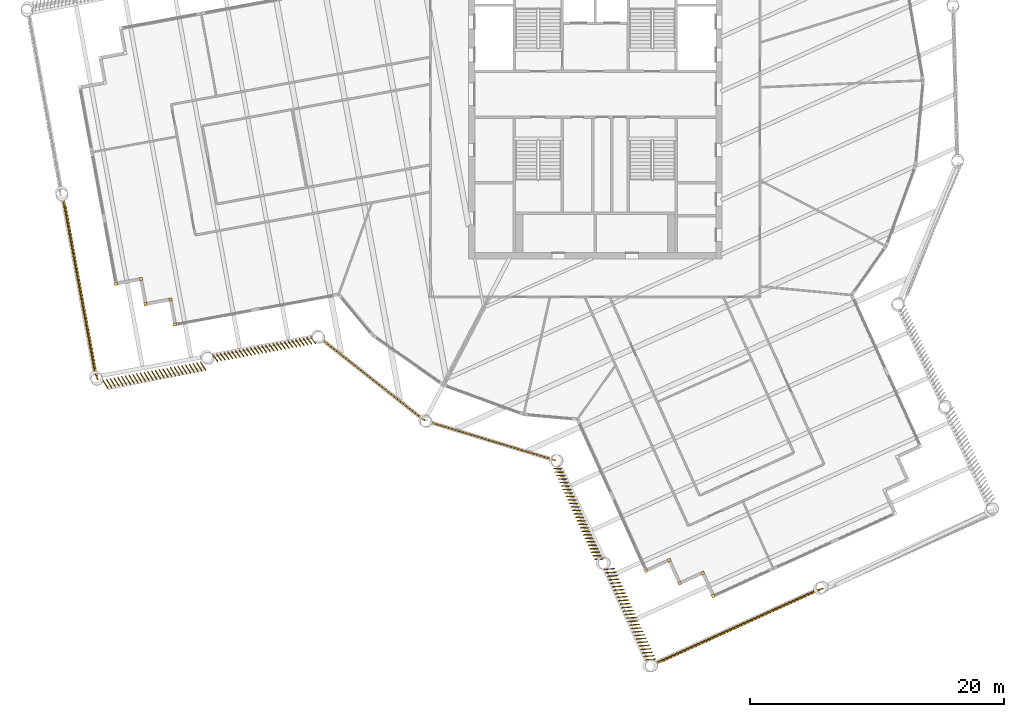
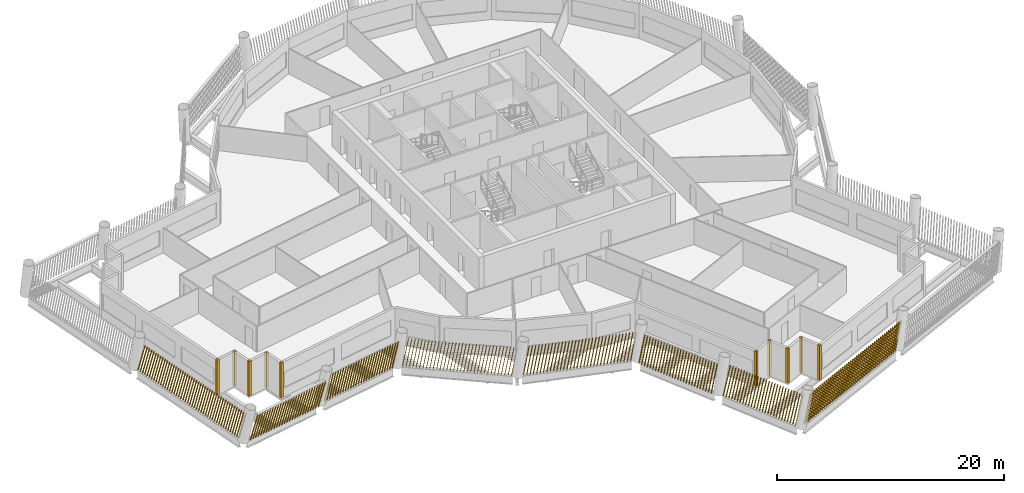
# One storey, part 11 of 15: 18 shading devices.
"""IFC4 building model written with IfcOpenShell, lengths in metres."""

from ifc_helpers import new_model, si_unit, direction, frame, frame_2d, origin, origin_2d, place, context, subcontext, project, spatial, rectangle, composite_profile, extrude, material, type_object, element, save


model = new_model("IFC4")

# Units and contexts
model_context = context("Model", 3, precision=1e-05, world=origin(), true_north=direction((0.0, 1.0)))
body_context = subcontext(model_context, "Body", "Model", "MODEL_VIEW")
ifc_project = project(units=[si_unit("LENGTHUNIT", "METRE"), si_unit("AREAUNIT", "SQUARE_METRE"), si_unit("VOLUMEUNIT", "CUBIC_METRE"), si_unit("PLANEANGLEUNIT", "RADIAN"), si_unit("MASSUNIT", "GRAM", prefix="KILO")], contexts=[model_context])

# Site, building, storey
site_placement = place(None, origin())
site = spatial("IfcSite", under=ifc_project, at=site_placement, CompositionType="ELEMENT")
building_placement = place(site_placement, origin())
building = spatial("IfcBuilding", under=site, at=building_placement, Name="Tarsis Ring Headquarters", CompositionType="ELEMENT")
storey_placement = place(building_placement, frame((0.0, 0.0, 327.5)))
storey = spatial("IfcBuildingStorey", under=building, at=storey_placement, Name="L77", CompositionType="ELEMENT", Elevation=327.5)

# Shading devices
ifc_material = material(Name="Terracotta baguette", Category="masonry")
shading_device_type_1 = type_object("IfcShadingDeviceType", Name="Terracotta baguette screen", PredefinedType="USERDEFINED", material=ifc_material)
shading_device_1_placement = place(storey_placement, frame((-12.979736328125, -25.888427734375, 0.0), z_axis=(0.0, 0.0, 1.0), x_axis=(0.956752029981, -0.290943160525, 0.0)))
element("IfcShadingDevice", 1, at=shading_device_1_placement, inside=storey, type_object=shading_device_type_1, Name="Baguette screen L77-00", ObjectType="Terracotta baguette screen", PredefinedType="USERDEFINED", context=body_context, shape_type="SweptSolid", body=[
    extrude(composite_profile([rectangle(XDim=0.06005859375, YDim=0.1201171875, at=frame_2d((0.030029296875, 0.0))), rectangle(XDim=0.06005859375, YDim=0.1201171875, at=frame_2d((0.33349609375, 0.0))), rectangle(XDim=0.06005859375, YDim=0.1201171875, at=frame_2d((0.636962890625, 0.0))), rectangle(XDim=0.06005859375, YDim=0.1201171875, at=frame_2d((0.9404296875, 0.0))), rectangle(XDim=0.06005859375, YDim=0.1201171875, at=frame_2d((1.243896484375, 0.0))), rectangle(XDim=0.06005859375, YDim=0.1201171875, at=frame_2d((1.54736328125, 0.0))), rectangle(XDim=0.06005859375, YDim=0.1201171875, at=frame_2d((1.85107421875, 0.0))), rectangle(XDim=0.06005859375, YDim=0.1201171875, at=frame_2d((2.154541015625, 0.0))), rectangle(XDim=0.06005859375, YDim=0.1201171875, at=frame_2d((2.4580078125, 0.0))), rectangle(XDim=0.06005859375, YDim=0.1201171875, at=frame_2d((2.761474609375, 0.0))), rectangle(XDim=0.06005859375, YDim=0.1201171875, at=frame_2d((3.06494140625, 0.0))), rectangle(XDim=0.06005859375, YDim=0.1201171875, at=frame_2d((3.368408203125, 0.0))), rectangle(XDim=0.06005859375, YDim=0.1201171875, at=frame_2d((3.671875, 0.0))), rectangle(XDim=0.06005859375, YDim=0.1201171875, at=frame_2d((3.975341796875, 0.0))), rectangle(XDim=0.06005859375, YDim=0.1201171875, at=frame_2d((4.27880859375, 0.0))), rectangle(XDim=0.06005859375, YDim=0.1201171875, at=frame_2d((4.582275390625, 0.0))), rectangle(XDim=0.06005859375, YDim=0.1201171875, at=frame_2d((4.8857421875, 0.0))), rectangle(XDim=0.06005859375, YDim=0.1201171875, at=frame_2d((5.189453125, 0.0))), rectangle(XDim=0.06005859375, YDim=0.1201171875, at=frame_2d((5.492919921875, 0.0))), rectangle(XDim=0.06005859375, YDim=0.1201171875, at=frame_2d((5.79638671875, 0.0))), rectangle(XDim=0.06005859375, YDim=0.1201171875, at=frame_2d((6.099853515625, 0.0))), rectangle(XDim=0.06005859375, YDim=0.1201171875, at=frame_2d((6.4033203125, 0.0))), rectangle(XDim=0.06005859375, YDim=0.1201171875, at=frame_2d((6.706787109375, 0.0))), rectangle(XDim=0.06005859375, YDim=0.1201171875, at=frame_2d((7.01025390625, 0.0))), rectangle(XDim=0.06005859375, YDim=0.1201171875, at=frame_2d((7.313720703125, 0.0))), rectangle(XDim=0.06005859375, YDim=0.1201171875, at=frame_2d((7.6171875, 0.0))), rectangle(XDim=0.06005859375, YDim=0.1201171875, at=frame_2d((7.920654296875, 0.0))), rectangle(XDim=0.06005859375, YDim=0.1201171875, at=frame_2d((8.224365234375, 0.0))), rectangle(XDim=0.06005859375, YDim=0.1201171875, at=frame_2d((8.52783203125, 0.0))), rectangle(XDim=0.06005859375, YDim=0.1201171875, at=frame_2d((8.831298828125, 0.0))), rectangle(XDim=0.06005859375, YDim=0.1201171875, at=frame_2d((9.134765625, 0.0))), rectangle(XDim=0.06005859375, YDim=0.1201171875, at=frame_2d((9.438232421875, 0.0))), rectangle(XDim=0.06005859375, YDim=0.1201171875, at=frame_2d((9.74169921875, 0.0)))]), origin(), (0.171976251092, 0.00155817688, 0.985099863539), 3.0126953125),
])
shading_device_2_placement = place(storey_placement, frame((-3.287353515625, -29.4873046875, 0.0), z_axis=(0.0, 0.0, 1.0), x_axis=(0.413105941236, -0.910680631507, 0.0)))
element("IfcShadingDevice", 2, at=shading_device_2_placement, inside=storey, type_object=shading_device_type_1, Name="Baguette screen L77-01", ObjectType="Terracotta baguette screen", PredefinedType="USERDEFINED", context=body_context, shape_type="SweptSolid", body=[
    extrude(composite_profile([rectangle(XDim=0.06005859375, YDim=0.1201171875, at=frame_2d((0.030029296875, 0.0))), rectangle(XDim=0.06005859375, YDim=0.1201171875, at=frame_2d((0.33154296875, 0.0))), rectangle(XDim=0.06005859375, YDim=0.1201171875, at=frame_2d((0.63330078125, 0.0))), rectangle(XDim=0.06005859375, YDim=0.1201171875, at=frame_2d((0.934814453125, 0.0))), rectangle(XDim=0.06005859375, YDim=0.1201171875, at=frame_2d((1.236572265625, 0.0))), rectangle(XDim=0.06005859375, YDim=0.1201171875, at=frame_2d((1.5380859375, 0.0))), rectangle(XDim=0.06005859375, YDim=0.1201171875, at=frame_2d((1.83984375, 0.0))), rectangle(XDim=0.06005859375, YDim=0.1201171875, at=frame_2d((2.141357421875, 0.0))), rectangle(XDim=0.06005859375, YDim=0.1201171875, at=frame_2d((2.443115234375, 0.0))), rectangle(XDim=0.06005859375, YDim=0.1201171875, at=frame_2d((2.74462890625, 0.0))), rectangle(XDim=0.06005859375, YDim=0.1201171875, at=frame_2d((3.04638671875, 0.0))), rectangle(XDim=0.06005859375, YDim=0.1201171875, at=frame_2d((3.347900390625, 0.0))), rectangle(XDim=0.06005859375, YDim=0.1201171875, at=frame_2d((3.649658203125, 0.0))), rectangle(XDim=0.06005859375, YDim=0.1201171875, at=frame_2d((3.951171875, 0.0))), rectangle(XDim=0.06005859375, YDim=0.1201171875, at=frame_2d((4.252685546875, 0.0))), rectangle(XDim=0.06005859375, YDim=0.1201171875, at=frame_2d((4.554443359375, 0.0))), rectangle(XDim=0.06005859375, YDim=0.1201171875, at=frame_2d((4.85595703125, 0.0))), rectangle(XDim=0.06005859375, YDim=0.1201171875, at=frame_2d((5.15771484375, 0.0))), rectangle(XDim=0.06005859375, YDim=0.1201171875, at=frame_2d((5.459228515625, 0.0))), rectangle(XDim=0.06005859375, YDim=0.1201171875, at=frame_2d((5.760986328125, 0.0))), rectangle(XDim=0.06005859375, YDim=0.1201171875, at=frame_2d((6.0625, 0.0))), rectangle(XDim=0.06005859375, YDim=0.1201171875, at=frame_2d((6.3642578125, 0.0))), rectangle(XDim=0.06005859375, YDim=0.1201171875, at=frame_2d((6.665771484375, 0.0))), rectangle(XDim=0.06005859375, YDim=0.1201171875, at=frame_2d((6.967529296875, 0.0))), rectangle(XDim=0.06005859375, YDim=0.1201171875, at=frame_2d((7.26904296875, 0.0))), rectangle(XDim=0.06005859375, YDim=0.1201171875, at=frame_2d((7.57080078125, 0.0))), rectangle(XDim=0.06005859375, YDim=0.1201171875, at=frame_2d((7.872314453125, 0.0)))]), origin(), (0.089358348716, 0.17732968607, 0.980086357396), 3.028076171875),
])
shading_device_3_placement = place(storey_placement, frame((0.731689453125, -37.439453125, 0.0), z_axis=(0.0, 0.0, 1.0), x_axis=(0.413105941236, -0.910680631507, 0.0)))
element("IfcShadingDevice", 3, at=shading_device_3_placement, inside=storey, type_object=shading_device_type_1, Name="Baguette screen L77-02", ObjectType="Terracotta baguette screen", PredefinedType="USERDEFINED", context=body_context, shape_type="SweptSolid", body=[
    extrude(composite_profile([rectangle(XDim=0.06005859375, YDim=0.1201171875, at=frame_2d((0.030029296875, 0.0))), rectangle(XDim=0.06005859375, YDim=0.1201171875, at=frame_2d((0.33154296875, 0.0))), rectangle(XDim=0.06005859375, YDim=0.1201171875, at=frame_2d((0.63330078125, 0.0))), rectangle(XDim=0.06005859375, YDim=0.1201171875, at=frame_2d((0.934814453125, 0.0))), rectangle(XDim=0.06005859375, YDim=0.1201171875, at=frame_2d((1.236572265625, 0.0))), rectangle(XDim=0.06005859375, YDim=0.1201171875, at=frame_2d((1.5380859375, 0.0))), rectangle(XDim=0.06005859375, YDim=0.1201171875, at=frame_2d((1.83984375, 0.0))), rectangle(XDim=0.06005859375, YDim=0.1201171875, at=frame_2d((2.141357421875, 0.0))), rectangle(XDim=0.06005859375, YDim=0.1201171875, at=frame_2d((2.443115234375, 0.0))), rectangle(XDim=0.06005859375, YDim=0.1201171875, at=frame_2d((2.74462890625, 0.0))), rectangle(XDim=0.06005859375, YDim=0.1201171875, at=frame_2d((3.04638671875, 0.0))), rectangle(XDim=0.06005859375, YDim=0.1201171875, at=frame_2d((3.347900390625, 0.0))), rectangle(XDim=0.06005859375, YDim=0.1201171875, at=frame_2d((3.649658203125, 0.0))), rectangle(XDim=0.06005859375, YDim=0.1201171875, at=frame_2d((3.951171875, 0.0))), rectangle(XDim=0.06005859375, YDim=0.1201171875, at=frame_2d((4.252685546875, 0.0))), rectangle(XDim=0.06005859375, YDim=0.1201171875, at=frame_2d((4.554443359375, 0.0))), rectangle(XDim=0.06005859375, YDim=0.1201171875, at=frame_2d((4.85595703125, 0.0))), rectangle(XDim=0.06005859375, YDim=0.1201171875, at=frame_2d((5.15771484375, 0.0))), rectangle(XDim=0.06005859375, YDim=0.1201171875, at=frame_2d((5.459228515625, 0.0))), rectangle(XDim=0.06005859375, YDim=0.1201171875, at=frame_2d((5.760986328125, 0.0))), rectangle(XDim=0.06005859375, YDim=0.1201171875, at=frame_2d((6.0625, 0.0))), rectangle(XDim=0.06005859375, YDim=0.1201171875, at=frame_2d((6.3642578125, 0.0))), rectangle(XDim=0.06005859375, YDim=0.1201171875, at=frame_2d((6.665771484375, 0.0))), rectangle(XDim=0.06005859375, YDim=0.1201171875, at=frame_2d((6.967529296875, 0.0))), rectangle(XDim=0.06005859375, YDim=0.1201171875, at=frame_2d((7.26904296875, 0.0))), rectangle(XDim=0.06005859375, YDim=0.1201171875, at=frame_2d((7.57080078125, 0.0))), rectangle(XDim=0.06005859375, YDim=0.1201171875, at=frame_2d((7.872314453125, 0.0)))]), origin(), (0.085719004479, 0.228253673499, 0.969820866349), 3.06005859375),
])
shading_device_4_placement = place(storey_placement, frame((4.658203125, -44.884765625, 0.0), z_axis=(0.0, 0.0, 1.0), x_axis=(0.910676691729, 0.413109243697, 0.0)))
element("IfcShadingDevice", 4, at=shading_device_4_placement, inside=storey, type_object=shading_device_type_1, Name="Baguette screen L77-03", ObjectType="Terracotta baguette screen", PredefinedType="USERDEFINED", context=body_context, shape_type="SweptSolid", body=[
    extrude(composite_profile([rectangle(XDim=0.06005859375, YDim=0.1201171875, at=frame_2d((0.030029296875, 0.0))), rectangle(XDim=0.06005859375, YDim=0.1201171875, at=frame_2d((0.33544921875, 0.0))), rectangle(XDim=0.06005859375, YDim=0.1201171875, at=frame_2d((0.640625, 0.0))), rectangle(XDim=0.06005859375, YDim=0.1201171875, at=frame_2d((0.946044921875, 0.0))), rectangle(XDim=0.06005859375, YDim=0.1201171875, at=frame_2d((1.25146484375, 0.0))), rectangle(XDim=0.06005859375, YDim=0.1201171875, at=frame_2d((1.556640625, 0.0))), rectangle(XDim=0.06005859375, YDim=0.1201171875, at=frame_2d((1.862060546875, 0.0))), rectangle(XDim=0.06005859375, YDim=0.1201171875, at=frame_2d((2.16748046875, 0.0))), rectangle(XDim=0.06005859375, YDim=0.1201171875, at=frame_2d((2.47265625, 0.0))), rectangle(XDim=0.06005859375, YDim=0.1201171875, at=frame_2d((2.778076171875, 0.0))), rectangle(XDim=0.06005859375, YDim=0.1201171875, at=frame_2d((3.08349609375, 0.0))), rectangle(XDim=0.06005859375, YDim=0.1201171875, at=frame_2d((3.388671875, 0.0))), rectangle(XDim=0.06005859375, YDim=0.1201171875, at=frame_2d((3.694091796875, 0.0))), rectangle(XDim=0.06005859375, YDim=0.1201171875, at=frame_2d((3.99951171875, 0.0))), rectangle(XDim=0.06005859375, YDim=0.1201171875, at=frame_2d((4.3046875, 0.0))), rectangle(XDim=0.06005859375, YDim=0.1201171875, at=frame_2d((4.610107421875, 0.0))), rectangle(XDim=0.06005859375, YDim=0.1201171875, at=frame_2d((4.91552734375, 0.0))), rectangle(XDim=0.06005859375, YDim=0.1201171875, at=frame_2d((5.220703125, 0.0))), rectangle(XDim=0.06005859375, YDim=0.1201171875, at=frame_2d((5.526123046875, 0.0))), rectangle(XDim=0.06005859375, YDim=0.1201171875, at=frame_2d((5.83154296875, 0.0))), rectangle(XDim=0.06005859375, YDim=0.1201171875, at=frame_2d((6.13671875, 0.0))), rectangle(XDim=0.06005859375, YDim=0.1201171875, at=frame_2d((6.442138671875, 0.0))), rectangle(XDim=0.06005859375, YDim=0.1201171875, at=frame_2d((6.74755859375, 0.0))), rectangle(XDim=0.06005859375, YDim=0.1201171875, at=frame_2d((7.052734375, 0.0))), rectangle(XDim=0.06005859375, YDim=0.1201171875, at=frame_2d((7.358154296875, 0.0))), rectangle(XDim=0.06005859375, YDim=0.1201171875, at=frame_2d((7.66357421875, 0.0))), rectangle(XDim=0.06005859375, YDim=0.1201171875, at=frame_2d((7.96875, 0.0))), rectangle(XDim=0.06005859375, YDim=0.1201171875, at=frame_2d((8.274169921875, 0.0))), rectangle(XDim=0.06005859375, YDim=0.1201171875, at=frame_2d((8.57958984375, 0.0))), rectangle(XDim=0.06005859375, YDim=0.1201171875, at=frame_2d((8.884765625, 0.0))), rectangle(XDim=0.06005859375, YDim=0.1201171875, at=frame_2d((9.190185546875, 0.0))), rectangle(XDim=0.06005859375, YDim=0.1201171875, at=frame_2d((9.49560546875, 0.0))), rectangle(XDim=0.06005859375, YDim=0.1201171875, at=frame_2d((9.80078125, 0.0))), rectangle(XDim=0.06005859375, YDim=0.1201171875, at=frame_2d((10.106201171875, 0.0))), rectangle(XDim=0.06005859375, YDim=0.1201171875, at=frame_2d((10.41162109375, 0.0))), rectangle(XDim=0.06005859375, YDim=0.1201171875, at=frame_2d((10.716796875, 0.0))), rectangle(XDim=0.06005859375, YDim=0.1201171875, at=frame_2d((11.022216796875, 0.0))), rectangle(XDim=0.06005859375, YDim=0.1201171875, at=frame_2d((11.32763671875, 0.0))), rectangle(XDim=0.06005859375, YDim=0.1201171875, at=frame_2d((11.6328125, 0.0))), rectangle(XDim=0.06005859375, YDim=0.1201171875, at=frame_2d((11.938232421875, 0.0))), rectangle(XDim=0.06005859375, YDim=0.1201171875, at=frame_2d((12.24365234375, 0.0))), rectangle(XDim=0.06005859375, YDim=0.1201171875, at=frame_2d((12.548828125, 0.0))), rectangle(XDim=0.06005859375, YDim=0.1201171875, at=frame_2d((12.854248046875, 0.0))), rectangle(XDim=0.06005859375, YDim=0.1201171875, at=frame_2d((13.15966796875, 0.0))), rectangle(XDim=0.06005859375, YDim=0.1201171875, at=frame_2d((13.46484375, 0.0))), rectangle(XDim=0.06005859375, YDim=0.1201171875, at=frame_2d((13.770263671875, 0.0)))]), origin(), (0.253379420948, -0.041445868107, 0.966478716298), 3.07080078125),
])
shading_device_5_placement = place(storey_placement, frame((-42.006591796875, -8.218017578125, 0.0), z_axis=(0.0, 0.0, 1.0), x_axis=(0.180521892968, -0.983564794339, 0.0)))
element("IfcShadingDevice", 5, at=shading_device_5_placement, inside=storey, type_object=shading_device_type_1, Name="Baguette screen L77-18", ObjectType="Terracotta baguette screen", PredefinedType="USERDEFINED", context=body_context, shape_type="SweptSolid", body=[
    extrude(composite_profile([rectangle(XDim=0.06005859375, YDim=0.1201171875, at=frame_2d((0.030029296875, 0.0))), rectangle(XDim=0.06005859375, YDim=0.1201171875, at=frame_2d((0.33544921875, 0.0))), rectangle(XDim=0.06005859375, YDim=0.1201171875, at=frame_2d((0.640625, 0.0))), rectangle(XDim=0.06005859375, YDim=0.1201171875, at=frame_2d((0.946044921875, 0.0))), rectangle(XDim=0.06005859375, YDim=0.1201171875, at=frame_2d((1.25146484375, 0.0))), rectangle(XDim=0.06005859375, YDim=0.1201171875, at=frame_2d((1.556640625, 0.0))), rectangle(XDim=0.06005859375, YDim=0.1201171875, at=frame_2d((1.862060546875, 0.0))), rectangle(XDim=0.06005859375, YDim=0.1201171875, at=frame_2d((2.16748046875, 0.0))), rectangle(XDim=0.06005859375, YDim=0.1201171875, at=frame_2d((2.47265625, 0.0))), rectangle(XDim=0.06005859375, YDim=0.1201171875, at=frame_2d((2.778076171875, 0.0))), rectangle(XDim=0.06005859375, YDim=0.1201171875, at=frame_2d((3.08349609375, 0.0))), rectangle(XDim=0.06005859375, YDim=0.1201171875, at=frame_2d((3.388671875, 0.0))), rectangle(XDim=0.06005859375, YDim=0.1201171875, at=frame_2d((3.694091796875, 0.0))), rectangle(XDim=0.06005859375, YDim=0.1201171875, at=frame_2d((3.99951171875, 0.0))), rectangle(XDim=0.06005859375, YDim=0.1201171875, at=frame_2d((4.3046875, 0.0))), rectangle(XDim=0.06005859375, YDim=0.1201171875, at=frame_2d((4.610107421875, 0.0))), rectangle(XDim=0.06005859375, YDim=0.1201171875, at=frame_2d((4.91552734375, 0.0))), rectangle(XDim=0.06005859375, YDim=0.1201171875, at=frame_2d((5.220703125, 0.0))), rectangle(XDim=0.06005859375, YDim=0.1201171875, at=frame_2d((5.526123046875, 0.0))), rectangle(XDim=0.06005859375, YDim=0.1201171875, at=frame_2d((5.83154296875, 0.0))), rectangle(XDim=0.06005859375, YDim=0.1201171875, at=frame_2d((6.13671875, 0.0))), rectangle(XDim=0.06005859375, YDim=0.1201171875, at=frame_2d((6.442138671875, 0.0))), rectangle(XDim=0.06005859375, YDim=0.1201171875, at=frame_2d((6.74755859375, 0.0))), rectangle(XDim=0.06005859375, YDim=0.1201171875, at=frame_2d((7.052734375, 0.0))), rectangle(XDim=0.06005859375, YDim=0.1201171875, at=frame_2d((7.358154296875, 0.0))), rectangle(XDim=0.06005859375, YDim=0.1201171875, at=frame_2d((7.66357421875, 0.0))), rectangle(XDim=0.06005859375, YDim=0.1201171875, at=frame_2d((7.96875, 0.0))), rectangle(XDim=0.06005859375, YDim=0.1201171875, at=frame_2d((8.274169921875, 0.0))), rectangle(XDim=0.06005859375, YDim=0.1201171875, at=frame_2d((8.57958984375, 0.0))), rectangle(XDim=0.06005859375, YDim=0.1201171875, at=frame_2d((8.884765625, 0.0))), rectangle(XDim=0.06005859375, YDim=0.1201171875, at=frame_2d((9.190185546875, 0.0))), rectangle(XDim=0.06005859375, YDim=0.1201171875, at=frame_2d((9.49560546875, 0.0))), rectangle(XDim=0.06005859375, YDim=0.1201171875, at=frame_2d((9.80078125, 0.0))), rectangle(XDim=0.06005859375, YDim=0.1201171875, at=frame_2d((10.106201171875, 0.0))), rectangle(XDim=0.06005859375, YDim=0.1201171875, at=frame_2d((10.41162109375, 0.0))), rectangle(XDim=0.06005859375, YDim=0.1201171875, at=frame_2d((10.716796875, 0.0))), rectangle(XDim=0.06005859375, YDim=0.1201171875, at=frame_2d((11.022216796875, 0.0))), rectangle(XDim=0.06005859375, YDim=0.1201171875, at=frame_2d((11.32763671875, 0.0))), rectangle(XDim=0.06005859375, YDim=0.1201171875, at=frame_2d((11.6328125, 0.0))), rectangle(XDim=0.06005859375, YDim=0.1201171875, at=frame_2d((11.938232421875, 0.0))), rectangle(XDim=0.06005859375, YDim=0.1201171875, at=frame_2d((12.24365234375, 0.0))), rectangle(XDim=0.06005859375, YDim=0.1201171875, at=frame_2d((12.548828125, 0.0))), rectangle(XDim=0.06005859375, YDim=0.1201171875, at=frame_2d((12.854248046875, 0.0))), rectangle(XDim=0.06005859375, YDim=0.1201171875, at=frame_2d((13.15966796875, 0.0))), rectangle(XDim=0.06005859375, YDim=0.1201171875, at=frame_2d((13.46484375, 0.0))), rectangle(XDim=0.06005859375, YDim=0.1201171875, at=frame_2d((13.770263671875, 0.0)))]), origin(), (0.252585493158, 0.046035069304, 0.966478836313), 3.07080078125),
])
shading_device_6_placement = place(storey_placement, frame((-38.86572265625, -22.561767578125, 0.0), z_axis=(0.0, 0.0, 1.0), x_axis=(0.983564013841, 0.180517795353, 0.0)))
element("IfcShadingDevice", 6, at=shading_device_6_placement, inside=storey, type_object=shading_device_type_1, Name="Baguette screen L77-19", ObjectType="Terracotta baguette screen", PredefinedType="USERDEFINED", context=body_context, shape_type="SweptSolid", body=[
    extrude(composite_profile([rectangle(XDim=0.06005859375, YDim=0.1201171875, at=frame_2d((0.030029296875, 0.0))), rectangle(XDim=0.06005859375, YDim=0.1201171875, at=frame_2d((0.33154296875, 0.0))), rectangle(XDim=0.06005859375, YDim=0.1201171875, at=frame_2d((0.63330078125, 0.0))), rectangle(XDim=0.06005859375, YDim=0.1201171875, at=frame_2d((0.934814453125, 0.0))), rectangle(XDim=0.06005859375, YDim=0.1201171875, at=frame_2d((1.236572265625, 0.0))), rectangle(XDim=0.06005859375, YDim=0.1201171875, at=frame_2d((1.5380859375, 0.0))), rectangle(XDim=0.06005859375, YDim=0.1201171875, at=frame_2d((1.83984375, 0.0))), rectangle(XDim=0.06005859375, YDim=0.1201171875, at=frame_2d((2.141357421875, 0.0))), rectangle(XDim=0.06005859375, YDim=0.1201171875, at=frame_2d((2.443115234375, 0.0))), rectangle(XDim=0.06005859375, YDim=0.1201171875, at=frame_2d((2.74462890625, 0.0))), rectangle(XDim=0.06005859375, YDim=0.1201171875, at=frame_2d((3.04638671875, 0.0))), rectangle(XDim=0.06005859375, YDim=0.1201171875, at=frame_2d((3.347900390625, 0.0))), rectangle(XDim=0.06005859375, YDim=0.1201171875, at=frame_2d((3.649658203125, 0.0))), rectangle(XDim=0.06005859375, YDim=0.1201171875, at=frame_2d((3.951171875, 0.0))), rectangle(XDim=0.06005859375, YDim=0.1201171875, at=frame_2d((4.252685546875, 0.0))), rectangle(XDim=0.06005859375, YDim=0.1201171875, at=frame_2d((4.554443359375, 0.0))), rectangle(XDim=0.06005859375, YDim=0.1201171875, at=frame_2d((4.85595703125, 0.0))), rectangle(XDim=0.06005859375, YDim=0.1201171875, at=frame_2d((5.15771484375, 0.0))), rectangle(XDim=0.06005859375, YDim=0.1201171875, at=frame_2d((5.459228515625, 0.0))), rectangle(XDim=0.06005859375, YDim=0.1201171875, at=frame_2d((5.760986328125, 0.0))), rectangle(XDim=0.06005859375, YDim=0.1201171875, at=frame_2d((6.0625, 0.0))), rectangle(XDim=0.06005859375, YDim=0.1201171875, at=frame_2d((6.3642578125, 0.0))), rectangle(XDim=0.06005859375, YDim=0.1201171875, at=frame_2d((6.665771484375, 0.0))), rectangle(XDim=0.06005859375, YDim=0.1201171875, at=frame_2d((6.967529296875, 0.0))), rectangle(XDim=0.06005859375, YDim=0.1201171875, at=frame_2d((7.26904296875, 0.0))), rectangle(XDim=0.06005859375, YDim=0.1201171875, at=frame_2d((7.57080078125, 0.0))), rectangle(XDim=0.06005859375, YDim=0.1201171875, at=frame_2d((7.872314453125, 0.0)))]), origin(), (0.092052527305, -0.22659404439, 0.969629553625), 3.060791015625),
])
shading_device_7_placement = place(storey_placement, frame((-30.177490234375, -20.585693359375, 0.0), z_axis=(0.0, 0.0, 1.0), x_axis=(0.983564013841, 0.180517795353, 0.0)))
element("IfcShadingDevice", 7, at=shading_device_7_placement, inside=storey, type_object=shading_device_type_1, Name="Baguette screen L77-20", ObjectType="Terracotta baguette screen", PredefinedType="USERDEFINED", context=body_context, shape_type="SweptSolid", body=[
    extrude(composite_profile([rectangle(XDim=0.06005859375, YDim=0.1201171875, at=frame_2d((0.030029296875, 0.0))), rectangle(XDim=0.06005859375, YDim=0.1201171875, at=frame_2d((0.33154296875, 0.0))), rectangle(XDim=0.06005859375, YDim=0.1201171875, at=frame_2d((0.63330078125, 0.0))), rectangle(XDim=0.06005859375, YDim=0.1201171875, at=frame_2d((0.934814453125, 0.0))), rectangle(XDim=0.06005859375, YDim=0.1201171875, at=frame_2d((1.236572265625, 0.0))), rectangle(XDim=0.06005859375, YDim=0.1201171875, at=frame_2d((1.5380859375, 0.0))), rectangle(XDim=0.06005859375, YDim=0.1201171875, at=frame_2d((1.83984375, 0.0))), rectangle(XDim=0.06005859375, YDim=0.1201171875, at=frame_2d((2.141357421875, 0.0))), rectangle(XDim=0.06005859375, YDim=0.1201171875, at=frame_2d((2.443115234375, 0.0))), rectangle(XDim=0.06005859375, YDim=0.1201171875, at=frame_2d((2.74462890625, 0.0))), rectangle(XDim=0.06005859375, YDim=0.1201171875, at=frame_2d((3.04638671875, 0.0))), rectangle(XDim=0.06005859375, YDim=0.1201171875, at=frame_2d((3.347900390625, 0.0))), rectangle(XDim=0.06005859375, YDim=0.1201171875, at=frame_2d((3.649658203125, 0.0))), rectangle(XDim=0.06005859375, YDim=0.1201171875, at=frame_2d((3.951171875, 0.0))), rectangle(XDim=0.06005859375, YDim=0.1201171875, at=frame_2d((4.252685546875, 0.0))), rectangle(XDim=0.06005859375, YDim=0.1201171875, at=frame_2d((4.554443359375, 0.0))), rectangle(XDim=0.06005859375, YDim=0.1201171875, at=frame_2d((4.85595703125, 0.0))), rectangle(XDim=0.06005859375, YDim=0.1201171875, at=frame_2d((5.15771484375, 0.0))), rectangle(XDim=0.06005859375, YDim=0.1201171875, at=frame_2d((5.459228515625, 0.0))), rectangle(XDim=0.06005859375, YDim=0.1201171875, at=frame_2d((5.760986328125, 0.0))), rectangle(XDim=0.06005859375, YDim=0.1201171875, at=frame_2d((6.0625, 0.0))), rectangle(XDim=0.06005859375, YDim=0.1201171875, at=frame_2d((6.3642578125, 0.0))), rectangle(XDim=0.06005859375, YDim=0.1201171875, at=frame_2d((6.665771484375, 0.0))), rectangle(XDim=0.06005859375, YDim=0.1201171875, at=frame_2d((6.967529296875, 0.0))), rectangle(XDim=0.06005859375, YDim=0.1201171875, at=frame_2d((7.26904296875, 0.0))), rectangle(XDim=0.06005859375, YDim=0.1201171875, at=frame_2d((7.57080078125, 0.0))), rectangle(XDim=0.06005859375, YDim=0.1201171875, at=frame_2d((7.872314453125, 0.0)))]), origin(), (0.090331498159, -0.175733501558, 0.980284630539), 3.02734375),
])
shading_device_8_placement = place(storey_placement, frame((-21.520751953125, -19.37890625, 0.0), z_axis=(0.0, 0.0, 1.0), x_axis=(0.78493441599, -0.619562773267, 0.0)))
element("IfcShadingDevice", 8, at=shading_device_8_placement, inside=storey, type_object=shading_device_type_1, Name="Baguette screen L77-21", ObjectType="Terracotta baguette screen", PredefinedType="USERDEFINED", context=body_context, shape_type="SweptSolid", body=[
    extrude(composite_profile([rectangle(XDim=0.06005859375, YDim=0.1201171875, at=frame_2d((0.030029296875, 0.0))), rectangle(XDim=0.06005859375, YDim=0.1201171875, at=frame_2d((0.33349609375, 0.0))), rectangle(XDim=0.06005859375, YDim=0.1201171875, at=frame_2d((0.636962890625, 0.0))), rectangle(XDim=0.06005859375, YDim=0.1201171875, at=frame_2d((0.9404296875, 0.0))), rectangle(XDim=0.06005859375, YDim=0.1201171875, at=frame_2d((1.243896484375, 0.0))), rectangle(XDim=0.06005859375, YDim=0.1201171875, at=frame_2d((1.54736328125, 0.0))), rectangle(XDim=0.06005859375, YDim=0.1201171875, at=frame_2d((1.85107421875, 0.0))), rectangle(XDim=0.06005859375, YDim=0.1201171875, at=frame_2d((2.154541015625, 0.0))), rectangle(XDim=0.06005859375, YDim=0.1201171875, at=frame_2d((2.4580078125, 0.0))), rectangle(XDim=0.06005859375, YDim=0.1201171875, at=frame_2d((2.761474609375, 0.0))), rectangle(XDim=0.06005859375, YDim=0.1201171875, at=frame_2d((3.06494140625, 0.0))), rectangle(XDim=0.06005859375, YDim=0.1201171875, at=frame_2d((3.368408203125, 0.0))), rectangle(XDim=0.06005859375, YDim=0.1201171875, at=frame_2d((3.671875, 0.0))), rectangle(XDim=0.06005859375, YDim=0.1201171875, at=frame_2d((3.975341796875, 0.0))), rectangle(XDim=0.06005859375, YDim=0.1201171875, at=frame_2d((4.27880859375, 0.0))), rectangle(XDim=0.06005859375, YDim=0.1201171875, at=frame_2d((4.582275390625, 0.0))), rectangle(XDim=0.06005859375, YDim=0.1201171875, at=frame_2d((4.8857421875, 0.0))), rectangle(XDim=0.06005859375, YDim=0.1201171875, at=frame_2d((5.189453125, 0.0))), rectangle(XDim=0.06005859375, YDim=0.1201171875, at=frame_2d((5.492919921875, 0.0))), rectangle(XDim=0.06005859375, YDim=0.1201171875, at=frame_2d((5.79638671875, 0.0))), rectangle(XDim=0.06005859375, YDim=0.1201171875, at=frame_2d((6.099853515625, 0.0))), rectangle(XDim=0.06005859375, YDim=0.1201171875, at=frame_2d((6.4033203125, 0.0))), rectangle(XDim=0.06005859375, YDim=0.1201171875, at=frame_2d((6.706787109375, 0.0))), rectangle(XDim=0.06005859375, YDim=0.1201171875, at=frame_2d((7.01025390625, 0.0))), rectangle(XDim=0.06005859375, YDim=0.1201171875, at=frame_2d((7.313720703125, 0.0))), rectangle(XDim=0.06005859375, YDim=0.1201171875, at=frame_2d((7.6171875, 0.0))), rectangle(XDim=0.06005859375, YDim=0.1201171875, at=frame_2d((7.920654296875, 0.0))), rectangle(XDim=0.06005859375, YDim=0.1201171875, at=frame_2d((8.224365234375, 0.0))), rectangle(XDim=0.06005859375, YDim=0.1201171875, at=frame_2d((8.52783203125, 0.0))), rectangle(XDim=0.06005859375, YDim=0.1201171875, at=frame_2d((8.831298828125, 0.0))), rectangle(XDim=0.06005859375, YDim=0.1201171875, at=frame_2d((9.134765625, 0.0))), rectangle(XDim=0.06005859375, YDim=0.1201171875, at=frame_2d((9.438232421875, 0.0))), rectangle(XDim=0.06005859375, YDim=0.1201171875, at=frame_2d((9.74169921875, 0.0)))]), origin(), (0.171972749186, 0.001560015169, 0.985100471977), 3.0126953125),
])
shading_device_type_2 = type_object("IfcShadingDeviceType", Name="Terracotta corner baguette 250x250", PredefinedType="USERDEFINED", material=ifc_material)
for number, where, z_axis, x_axis, name in (
    (9, (-33.141845703125, -18.156005859375, 0.0), (0.0, 0.0, 1.0), (0.180519007918, -0.983571496019, 0.0), "Corner baguette L77-01"),
    (10, (4.005859375, -37.576416015625, 0.0), (0.0, 0.0, 1.0), (0.413104382141, -0.910683682436, 0.0), "Corner baguette L77-07"),
    (11, (5.8271484375, -36.750244140625, 0.0), (0.0, 0.0, 1.0), (0.910683610336, 0.413104541086, 0.0), "Corner baguette L77-08"),
    (12, (6.6533203125, -38.571533203125, 0.0), (0.0, 0.0, 1.0), (0.413104779502, -0.910683502185, 0.0), "Corner baguette L77-09"),
    (13, (8.474609375, -37.745361328125, 0.0), (0.0, 0.0, 1.0), (0.910683610336, 0.413104541086, 0.0), "Corner baguette L77-10"),
    (14, (9.301025390625, -39.566650390625, 0.0), (0.0, 0.0, 1.0), (0.413104541086, -0.910683610336, 0.0), "Corner baguette L77-11"),
    (15, (-37.79833984375, -14.94384765625, 0.0), (0.0, 0.0, 1.0), (0.180519179584, -0.983571464512, 0.0), "Corner baguette L77-37"),
    (16, (-35.831298828125, -14.582763671875, 0.0), (0.0, 0.0, 1.0), (0.983571392047, 0.180519574415, 0.0), "Corner baguette L77-38"),
    (17, (-35.47021484375, -16.550048828125, 0.0), (0.0, 0.0, 1.0), (0.180518904919, -0.983571514923, 0.0), "Corner baguette L77-39"),
    (18, (-33.5029296875, -16.18896484375, 0.0), (0.0, 0.0, 1.0), (0.983571423554, 0.180519402749, 0.0), "Corner baguette L77-40"),
):
    element("IfcShadingDevice", number, at=place(storey_placement, frame(where, z_axis=z_axis, x_axis=x_axis)), inside=storey, type_object=shading_device_type_2, Name=name, ObjectType="Terracotta corner baguette", PredefinedType="USERDEFINED", context=body_context, shape_type="SweptSolid", body=[
        extrude(rectangle(XDim=0.25, YDim=0.25, at=origin_2d()), origin(), (0.0, 0.0, 1.0), 3.739990234375),
    ])

save(model, "model.ifc")
